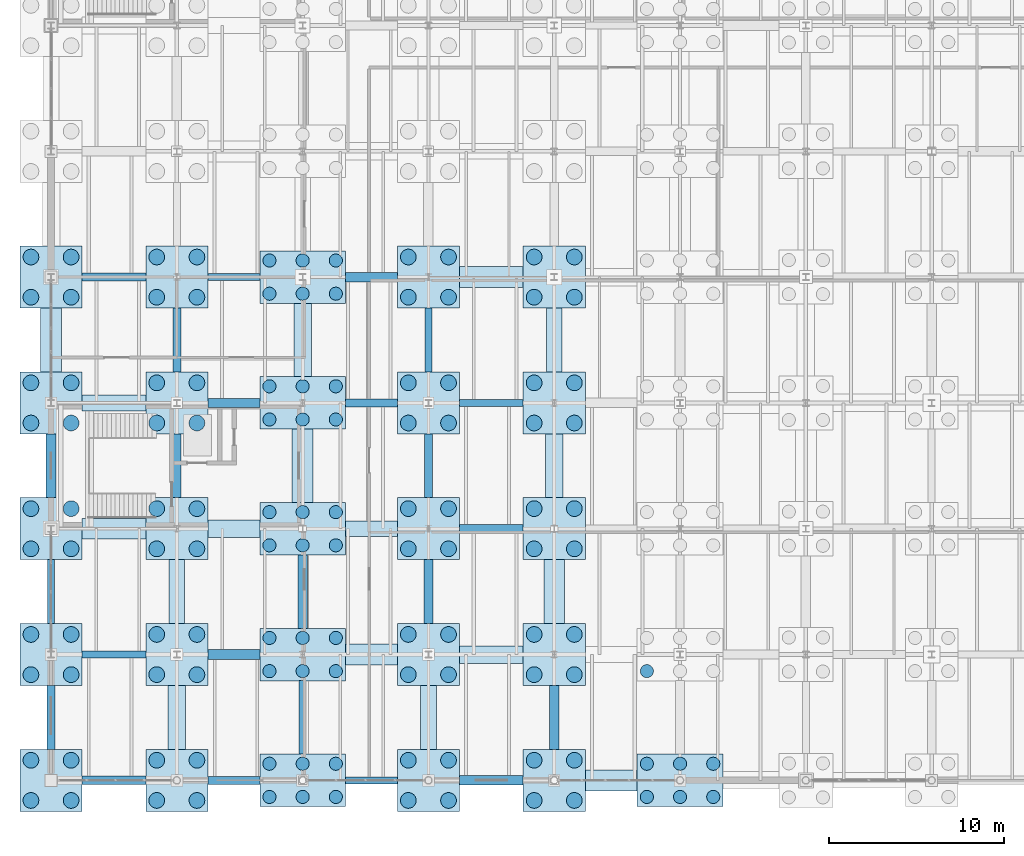
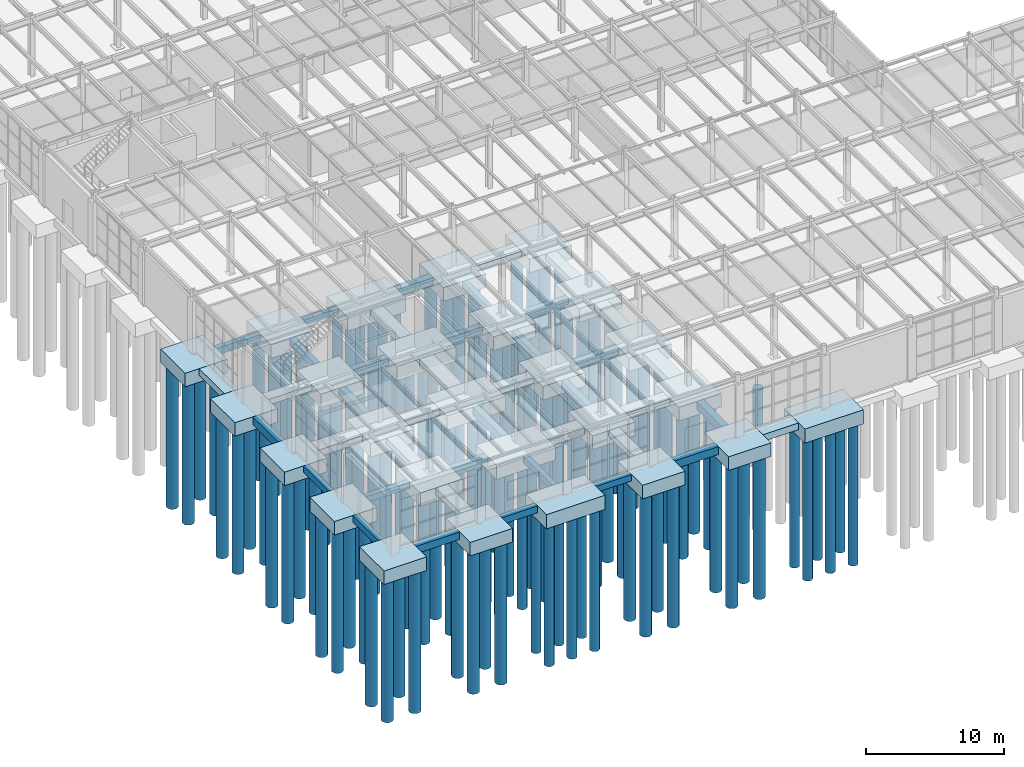
# One storey, part 1 of 293: 117 piles, 67 footings.
"""IFC4 building model written with IfcOpenShell, lengths in metres."""

from ifc_helpers import new_model, si_unit, direction, frame, origin, origin_2d, place, context, subcontext, project, spatial, rectangle, circle, extrude, material, material_profile, profile_set, type_object, element, save


model = new_model("IFC4")

# Units and contexts
model_context = context("Model", 3, precision=1e-05, world=origin(), true_north=direction((0.0, 1.0)))
body_context = subcontext(model_context, "Body", "Model", "MODEL_VIEW")
ifc_project = project(units=[si_unit("LENGTHUNIT", "METRE"), si_unit("AREAUNIT", "SQUARE_METRE"), si_unit("VOLUMEUNIT", "CUBIC_METRE"), si_unit("PLANEANGLEUNIT", "RADIAN"), si_unit("MASSUNIT", "GRAM", prefix="KILO")], contexts=[model_context])

# Site, building, storey
site_placement = place(None, origin())
site = spatial("IfcSite", under=ifc_project, at=site_placement, CompositionType="ELEMENT")
building_placement = place(site_placement, origin())
building = spatial("IfcBuilding", under=site, at=building_placement, Name="Kemerveld Promenade Tramway Depot", CompositionType="ELEMENT")
storey_placement = place(building_placement, origin())
storey = spatial("IfcBuildingStorey", under=building, at=storey_placement, Name="L00", CompositionType="ELEMENT", Elevation=0.0)

# Footings
ifc_material = material(Name="Concrete C35/45", Category="concrete")
footing_type_1 = type_object("IfcFootingType", Name="FT-GB01", PredefinedType="FOOTING_BEAM", material=ifc_material)
for number, where, z_axis, x_axis, name in (
    (1, (3.60009765625, 0.0, -0.949951171875), (0.0, 0.0, 1.0), (1.0, 0.0, 0.0), "GBX-01-02-A"),
    (2, (25.199951171875, 14.39990234375, -0.949951171875), (0.0, 0.0, 1.0), (1.0, 0.0, 0.0), "GBX-04-05-C"),
):
    element("IfcFooting", number, at=place(storey_placement, frame(where, z_axis=z_axis, x_axis=x_axis)), inside=storey, type_object=footing_type_1, Name=name, PredefinedType="FOOTING_BEAM", context=body_context, shape_type="SweptSolid", body=[
        extrude(rectangle(XDim=3.64990234375, YDim=0.5, at=origin_2d()), origin(), (0.0, 0.0, 1.0), 0.64990234375),
    ])
footing_1_placement = place(storey_placement, frame((10.46240234375, 21.60009765625, -0.949951171875), z_axis=(0.0, 0.0, 1.0), x_axis=(1.0, 0.0, 0.0)))
element("IfcFooting", 3, at=footing_1_placement, inside=storey, type_object=footing_type_1, Name="GBX-02-03-D", PredefinedType="FOOTING_BEAM", context=body_context, shape_type="SweptSolid", body=[
    extrude(rectangle(XDim=2.97509765625, YDim=0.5, at=origin_2d()), origin(), (0.0, 0.0, 1.0), 0.64990234375),
])
for number, where, z_axis, x_axis, name in (
    (4, (7.199951171875, 18.0, -0.949951171875), (0.0, 0.0, 1.0), (0.0, 1.0, 0.0), "GBY-02-C-D"),
    (5, (21.60009765625, 10.800048828125, -0.949951171875), (0.0, 0.0, 1.0), (0.0, 1.0, 0.0), "GBY-04-B-C"),
):
    element("IfcFooting", number, at=place(storey_placement, frame(where, z_axis=z_axis, x_axis=x_axis)), inside=storey, type_object=footing_type_1, Name=name, PredefinedType="FOOTING_BEAM", context=body_context, shape_type="SweptSolid", body=[
        extrude(rectangle(XDim=3.64990234375, YDim=0.5, at=origin_2d()), origin(), (0.0, 0.0, 1.0), 0.64990234375),
    ])
footing_type_2 = type_object("IfcFootingType", Name="FT-GB02", PredefinedType="FOOTING_BEAM", material=ifc_material)
for number, where, z_axis, x_axis, name in (
    (6, (10.46240234375, 0.0, -0.900146484375), (0.0, 0.0, 1.0), (1.0, 0.0, 0.0), "GBX-02-03-A"),
    (7, (18.33740234375, 21.60009765625, -0.900146484375), (0.0, 0.0, 1.0), (1.0, 0.0, 0.0), "GBX-03-04-D"),
):
    element("IfcFooting", number, at=place(storey_placement, frame(where, z_axis=z_axis, x_axis=x_axis)), inside=storey, type_object=footing_type_2, Name=name, PredefinedType="FOOTING_BEAM", context=body_context, shape_type="SweptSolid", body=[
        extrude(rectangle(XDim=2.97509765625, YDim=0.449951171875, at=origin_2d()), origin(), (0.0, 0.0, 1.0), 0.60009765625),
    ])
for number, where, z_axis, x_axis, name in (
    (8, (3.60009765625, 28.800048828125, -0.900146484375), (0.0, 0.0, 1.0), (1.0, 0.0, 0.0), "GBX-01-02-E"),
    (9, (0.0, 3.60009765625, -0.900146484375), (0.0, 0.0, 1.0), (0.0, 1.0, 0.0), "GBY-01-A-B"),
    (10, (7.199951171875, 25.199951171875, -0.900146484375), (0.0, 0.0, 1.0), (0.0, 1.0, 0.0), "GBY-02-D-E"),
    (11, (21.60009765625, 18.0, -0.900146484375), (0.0, 0.0, 1.0), (0.0, 1.0, 0.0), "GBY-04-C-D"),
):
    element("IfcFooting", number, at=place(storey_placement, frame(where, z_axis=z_axis, x_axis=x_axis)), inside=storey, type_object=footing_type_2, Name=name, PredefinedType="FOOTING_BEAM", context=body_context, shape_type="SweptSolid", body=[
        extrude(rectangle(XDim=3.64990234375, YDim=0.449951171875, at=origin_2d()), origin(), (0.0, 0.0, 1.0), 0.60009765625),
    ])
footing_type_3 = type_object("IfcFootingType", Name="FT-GB03", PredefinedType="FOOTING_BEAM", material=ifc_material)
footing_2_placement = place(storey_placement, frame((18.33740234375, 0.0, -0.85009765625), z_axis=(0.0, 0.0, 1.0), x_axis=(1.0, 0.0, 0.0)))
element("IfcFooting", 12, at=footing_2_placement, inside=storey, type_object=footing_type_3, Name="GBX-03-04-A", PredefinedType="FOOTING_BEAM", context=body_context, shape_type="SweptSolid", body=[
    extrude(rectangle(XDim=2.97509765625, YDim=0.39990234375, at=origin_2d()), origin(), (0.0, 0.0, 1.0), 0.550048828125),
])
for number, where, z_axis, x_axis, name in (
    (13, (3.60009765625, 7.199951171875, -0.85009765625), (0.0, 0.0, 1.0), (1.0, 0.0, 0.0), "GBX-01-02-B"),
    (14, (25.199951171875, 21.60009765625, -0.85009765625), (0.0, 0.0, 1.0), (1.0, 0.0, 0.0), "GBX-04-05-D"),
):
    element("IfcFooting", number, at=place(storey_placement, frame(where, z_axis=z_axis, x_axis=x_axis)), inside=storey, type_object=footing_type_3, Name=name, PredefinedType="FOOTING_BEAM", context=body_context, shape_type="SweptSolid", body=[
        extrude(rectangle(XDim=3.64990234375, YDim=0.39990234375, at=origin_2d()), origin(), (0.0, 0.0, 1.0), 0.550048828125),
    ])
footing_3_placement = place(storey_placement, frame((10.46240234375, 28.800048828125, -0.85009765625), z_axis=(0.0, 0.0, 1.0), x_axis=(1.0, 0.0, 0.0)))
element("IfcFooting", 15, at=footing_3_placement, inside=storey, type_object=footing_type_3, Name="GBX-02-03-E", PredefinedType="FOOTING_BEAM", context=body_context, shape_type="SweptSolid", body=[
    extrude(rectangle(XDim=2.97509765625, YDim=0.39990234375, at=origin_2d()), origin(), (0.0, 0.0, 1.0), 0.550048828125),
])
footing_4_placement = place(storey_placement, frame((0.0, 10.800048828125, -0.85009765625), z_axis=(0.0, 0.0, 1.0), x_axis=(0.0, 1.0, 0.0)))
element("IfcFooting", 16, at=footing_4_placement, inside=storey, type_object=footing_type_3, Name="GBY-01-B-C", PredefinedType="FOOTING_BEAM", context=body_context, shape_type="SweptSolid", body=[
    extrude(rectangle(XDim=3.64990234375, YDim=0.39990234375, at=origin_2d()), origin(), (0.0, 0.0, 1.0), 0.550048828125),
])
footing_5_placement = place(storey_placement, frame((14.39990234375, 3.60009765625, -0.85009765625), z_axis=(0.0, 0.0, 1.0), x_axis=(0.0, 1.0, 0.0)))
element("IfcFooting", 17, at=footing_5_placement, inside=storey, type_object=footing_type_3, Name="GBY-03-A-B", PredefinedType="FOOTING_BEAM", context=body_context, shape_type="SweptSolid", body=[
    extrude(rectangle(XDim=4.199951171875, YDim=0.39990234375, at=origin_2d()), origin(), (0.0, 0.0, 1.0), 0.550048828125),
])
footing_6_placement = place(storey_placement, frame((21.60009765625, 25.199951171875, -0.85009765625), z_axis=(0.0, 0.0, 1.0), x_axis=(0.0, 1.0, 0.0)))
element("IfcFooting", 18, at=footing_6_placement, inside=storey, type_object=footing_type_3, Name="GBY-04-D-E", PredefinedType="FOOTING_BEAM", context=body_context, shape_type="SweptSolid", body=[
    extrude(rectangle(XDim=3.64990234375, YDim=0.39990234375, at=origin_2d()), origin(), (0.0, 0.0, 1.0), 0.550048828125),
])
footing_type_4 = type_object("IfcFootingType", Name="FT-GB04", PredefinedType="FOOTING_BEAM", material=ifc_material)
footing_7_placement = place(storey_placement, frame((25.199951171875, 0.0, -1.0), z_axis=(0.0, 0.0, 1.0), x_axis=(1.0, 0.0, 0.0)))
element("IfcFooting", 19, at=footing_7_placement, inside=storey, type_object=footing_type_4, Name="GBX-04-05-A", PredefinedType="FOOTING_BEAM", context=body_context, shape_type="SweptSolid", body=[
    extrude(rectangle(XDim=3.64990234375, YDim=0.550048828125, at=origin_2d()), origin(), (0.0, 0.0, 1.0), 0.699951171875),
])
for number, where, z_axis, x_axis, name in (
    (20, (10.46240234375, 7.199951171875, -1.0), (0.0, 0.0, 1.0), (1.0, 0.0, 0.0), "GBX-02-03-B"),
    (21, (18.33740234375, 28.800048828125, -1.0), (0.0, 0.0, 1.0), (1.0, 0.0, 0.0), "GBX-03-04-E"),
):
    element("IfcFooting", number, at=place(storey_placement, frame(where, z_axis=z_axis, x_axis=x_axis)), inside=storey, type_object=footing_type_4, Name=name, PredefinedType="FOOTING_BEAM", context=body_context, shape_type="SweptSolid", body=[
        extrude(rectangle(XDim=2.97509765625, YDim=0.550048828125, at=origin_2d()), origin(), (0.0, 0.0, 1.0), 0.699951171875),
    ])
footing_8_placement = place(storey_placement, frame((0.0, 18.0, -1.0), z_axis=(0.0, 0.0, 1.0), x_axis=(0.0, 1.0, 0.0)))
element("IfcFooting", 22, at=footing_8_placement, inside=storey, type_object=footing_type_4, Name="GBY-01-C-D", PredefinedType="FOOTING_BEAM", context=body_context, shape_type="SweptSolid", body=[
    extrude(rectangle(XDim=3.64990234375, YDim=0.550048828125, at=origin_2d()), origin(), (0.0, 0.0, 1.0), 0.699951171875),
])
footing_9_placement = place(storey_placement, frame((14.39990234375, 10.800048828125, -1.0), z_axis=(0.0, 0.0, 1.0), x_axis=(0.0, 1.0, 0.0)))
element("IfcFooting", 23, at=footing_9_placement, inside=storey, type_object=footing_type_4, Name="GBY-03-B-C", PredefinedType="FOOTING_BEAM", context=body_context, shape_type="SweptSolid", body=[
    extrude(rectangle(XDim=4.199951171875, YDim=0.550048828125, at=origin_2d()), origin(), (0.0, 0.0, 1.0), 0.699951171875),
])
footing_10_placement = place(storey_placement, frame((28.800048828125, 3.60009765625, -1.0), z_axis=(0.0, 0.0, 1.0), x_axis=(0.0, 1.0, 0.0)))
element("IfcFooting", 24, at=footing_10_placement, inside=storey, type_object=footing_type_4, Name="GBY-05-A-B", PredefinedType="FOOTING_BEAM", context=body_context, shape_type="SweptSolid", body=[
    extrude(rectangle(XDim=3.64990234375, YDim=0.550048828125, at=origin_2d()), origin(), (0.0, 0.0, 1.0), 0.699951171875),
])
footing_type_5 = type_object("IfcFootingType", Name="FT-PC03", PredefinedType="PILE_CAP", material=ifc_material)
for number, where, z_axis, x_axis, name in (
    (25, (0.0, 0.0, -1.5), (0.0, 0.0, 1.0), (1.0, 0.0, 0.0), "FT-01-A"),
    (26, (0.0, 7.199951171875, -1.5), (0.0, 0.0, 1.0), (1.0, 0.0, 0.0), "FT-01-B"),
    (27, (0.0, 14.39990234375, -1.5), (0.0, 0.0, 1.0), (1.0, 0.0, 0.0), "FT-01-C"),
    (28, (0.0, 21.60009765625, -1.5), (0.0, 0.0, 1.0), (1.0, 0.0, 0.0), "FT-01-D"),
    (29, (0.0, 28.800048828125, -1.5), (0.0, 0.0, 1.0), (1.0, 0.0, 0.0), "FT-01-E"),
    (30, (7.199951171875, 0.0, -1.5), (0.0, 0.0, 1.0), (1.0, 0.0, 0.0), "FT-02-A"),
    (31, (7.199951171875, 7.199951171875, -1.5), (0.0, 0.0, 1.0), (1.0, 0.0, 0.0), "FT-02-B"),
    (32, (7.199951171875, 14.39990234375, -1.5), (0.0, 0.0, 1.0), (1.0, 0.0, 0.0), "FT-02-C"),
    (33, (7.199951171875, 21.60009765625, -1.5), (0.0, 0.0, 1.0), (1.0, 0.0, 0.0), "FT-02-D"),
    (34, (7.199951171875, 28.800048828125, -1.5), (0.0, 0.0, 1.0), (1.0, 0.0, 0.0), "FT-02-E"),
    (35, (21.60009765625, 0.0, -1.5), (0.0, 0.0, 1.0), (1.0, 0.0, 0.0), "FT-04-A"),
    (36, (21.60009765625, 7.199951171875, -1.5), (0.0, 0.0, 1.0), (1.0, 0.0, 0.0), "FT-04-B"),
    (37, (21.60009765625, 14.39990234375, -1.5), (0.0, 0.0, 1.0), (1.0, 0.0, 0.0), "FT-04-C"),
    (38, (21.60009765625, 21.60009765625, -1.5), (0.0, 0.0, 1.0), (1.0, 0.0, 0.0), "FT-04-D"),
    (39, (21.60009765625, 28.800048828125, -1.5), (0.0, 0.0, 1.0), (1.0, 0.0, 0.0), "FT-04-E"),
    (40, (28.800048828125, 0.0, -1.5), (0.0, 0.0, 1.0), (1.0, 0.0, 0.0), "FT-05-A"),
    (41, (28.800048828125, 7.199951171875, -1.5), (0.0, 0.0, 1.0), (1.0, 0.0, 0.0), "FT-05-B"),
    (42, (28.800048828125, 14.39990234375, -1.5), (0.0, 0.0, 1.0), (1.0, 0.0, 0.0), "FT-05-C"),
    (43, (28.800048828125, 21.60009765625, -1.5), (0.0, 0.0, 1.0), (1.0, 0.0, 0.0), "FT-05-D"),
    (44, (28.800048828125, 28.800048828125, -1.5), (0.0, 0.0, 1.0), (1.0, 0.0, 0.0), "FT-05-E"),
):
    element("IfcFooting", number, at=place(storey_placement, frame(where, z_axis=z_axis, x_axis=x_axis)), inside=storey, type_object=footing_type_5, Name=name, PredefinedType="PILE_CAP", context=body_context, shape_type="SweptSolid", body=[
        extrude(rectangle(XDim=3.550048828125, YDim=3.550048828125, at=origin_2d()), origin(), (0.0, 0.0, 1.0), 1.199951171875),
    ])
footing_type_6 = type_object("IfcFootingType", Name="FT-PC10", PredefinedType="PILE_CAP", material=ifc_material)
for number, where, z_axis, x_axis, name in (
    (45, (14.39990234375, 0.0, -1.550048828125), (0.0, 0.0, 1.0), (1.0, 0.0, 0.0), "FT-03-A"),
    (46, (14.39990234375, 7.199951171875, -1.550048828125), (0.0, 0.0, 1.0), (1.0, 0.0, 0.0), "FT-03-B"),
    (47, (14.39990234375, 14.39990234375, -1.550048828125), (0.0, 0.0, 1.0), (1.0, 0.0, 0.0), "FT-03-C"),
    (48, (14.39990234375, 21.60009765625, -1.550048828125), (0.0, 0.0, 1.0), (1.0, 0.0, 0.0), "FT-03-D"),
    (49, (14.39990234375, 28.800048828125, -1.550048828125), (0.0, 0.0, 1.0), (1.0, 0.0, 0.0), "FT-03-E"),
    (50, (36.0, 0.0, -1.550048828125), (0.0, 0.0, 1.0), (1.0, 0.0, 0.0), "FT-06-A"),
):
    element("IfcFooting", number, at=place(storey_placement, frame(where, z_axis=z_axis, x_axis=x_axis)), inside=storey, type_object=footing_type_6, Name=name, PredefinedType="PILE_CAP", context=body_context, shape_type="SweptSolid", body=[
        extrude(rectangle(XDim=4.89990234375, YDim=3.0, at=origin_2d()), origin(), (0.0, 0.0, 1.0), 1.25),
    ])
footing_type_7 = type_object("IfcFootingType", Name="FT-SF01", PredefinedType="STRIP_FOOTING", material=ifc_material)
for number, where, z_axis, x_axis, name in (
    (51, (32.0625, 0.0, -0.900146484375), (0.0, 0.0, 1.0), (1.0, 0.0, 0.0), "GBX-05-06-A"),
    (52, (18.33740234375, 7.199951171875, -0.900146484375), (0.0, 0.0, 1.0), (1.0, 0.0, 0.0), "GBX-03-04-B"),
):
    element("IfcFooting", number, at=place(storey_placement, frame(where, z_axis=z_axis, x_axis=x_axis)), inside=storey, type_object=footing_type_7, Name=name, PredefinedType="STRIP_FOOTING", context=body_context, shape_type="SweptSolid", body=[
        extrude(rectangle(XDim=2.97509765625, YDim=1.199951171875, at=origin_2d()), origin(), (0.0, 0.0, 1.0), 0.60009765625),
    ])
for number, where, z_axis, x_axis, name in (
    (53, (3.60009765625, 14.39990234375, -0.900146484375), (0.0, 0.0, 1.0), (1.0, 0.0, 0.0), "GBX-01-02-C"),
    (54, (25.199951171875, 28.800048828125, -0.900146484375), (0.0, 0.0, 1.0), (1.0, 0.0, 0.0), "GBX-04-05-E"),
    (55, (0.0, 25.199951171875, -0.900146484375), (0.0, 0.0, 1.0), (0.0, 1.0, 0.0), "GBY-01-D-E"),
):
    element("IfcFooting", number, at=place(storey_placement, frame(where, z_axis=z_axis, x_axis=x_axis)), inside=storey, type_object=footing_type_7, Name=name, PredefinedType="STRIP_FOOTING", context=body_context, shape_type="SweptSolid", body=[
        extrude(rectangle(XDim=3.64990234375, YDim=1.199951171875, at=origin_2d()), origin(), (0.0, 0.0, 1.0), 0.60009765625),
    ])
footing_11_placement = place(storey_placement, frame((14.39990234375, 18.0, -0.900146484375), z_axis=(0.0, 0.0, 1.0), x_axis=(0.0, 1.0, 0.0)))
element("IfcFooting", 56, at=footing_11_placement, inside=storey, type_object=footing_type_7, Name="GBY-03-C-D", PredefinedType="STRIP_FOOTING", context=body_context, shape_type="SweptSolid", body=[
    extrude(rectangle(XDim=4.199951171875, YDim=1.199951171875, at=origin_2d()), origin(), (0.0, 0.0, 1.0), 0.60009765625),
])
footing_12_placement = place(storey_placement, frame((28.800048828125, 10.800048828125, -0.900146484375), z_axis=(0.0, 0.0, 1.0), x_axis=(0.0, 1.0, 0.0)))
element("IfcFooting", 57, at=footing_12_placement, inside=storey, type_object=footing_type_7, Name="GBY-05-B-C", PredefinedType="STRIP_FOOTING", context=body_context, shape_type="SweptSolid", body=[
    extrude(rectangle(XDim=3.64990234375, YDim=1.199951171875, at=origin_2d()), origin(), (0.0, 0.0, 1.0), 0.60009765625),
])
footing_type_8 = type_object("IfcFootingType", Name="FT-SF02", PredefinedType="STRIP_FOOTING", material=ifc_material)
footing_13_placement = place(storey_placement, frame((25.199951171875, 7.199951171875, -0.85009765625), z_axis=(0.0, 0.0, 1.0), x_axis=(1.0, 0.0, 0.0)))
element("IfcFooting", 58, at=footing_13_placement, inside=storey, type_object=footing_type_8, Name="GBX-04-05-B", PredefinedType="STRIP_FOOTING", context=body_context, shape_type="SweptSolid", body=[
    extrude(rectangle(XDim=3.64990234375, YDim=1.0, at=origin_2d()), origin(), (0.0, 0.0, 1.0), 0.550048828125),
])
footing_14_placement = place(storey_placement, frame((10.46240234375, 14.39990234375, -0.85009765625), z_axis=(0.0, 0.0, 1.0), x_axis=(1.0, 0.0, 0.0)))
element("IfcFooting", 59, at=footing_14_placement, inside=storey, type_object=footing_type_8, Name="GBX-02-03-C", PredefinedType="STRIP_FOOTING", context=body_context, shape_type="SweptSolid", body=[
    extrude(rectangle(XDim=2.97509765625, YDim=1.0, at=origin_2d()), origin(), (0.0, 0.0, 1.0), 0.550048828125),
])
footing_15_placement = place(storey_placement, frame((7.199951171875, 3.60009765625, -0.85009765625), z_axis=(0.0, 0.0, 1.0), x_axis=(0.0, 1.0, 0.0)))
element("IfcFooting", 60, at=footing_15_placement, inside=storey, type_object=footing_type_8, Name="GBY-02-A-B", PredefinedType="STRIP_FOOTING", context=body_context, shape_type="SweptSolid", body=[
    extrude(rectangle(XDim=3.64990234375, YDim=1.0, at=origin_2d()), origin(), (0.0, 0.0, 1.0), 0.550048828125),
])
footing_16_placement = place(storey_placement, frame((14.39990234375, 25.199951171875, -0.85009765625), z_axis=(0.0, 0.0, 1.0), x_axis=(0.0, 1.0, 0.0)))
element("IfcFooting", 61, at=footing_16_placement, inside=storey, type_object=footing_type_8, Name="GBY-03-D-E", PredefinedType="STRIP_FOOTING", context=body_context, shape_type="SweptSolid", body=[
    extrude(rectangle(XDim=4.199951171875, YDim=1.0, at=origin_2d()), origin(), (0.0, 0.0, 1.0), 0.550048828125),
])
footing_17_placement = place(storey_placement, frame((28.800048828125, 18.0, -0.85009765625), z_axis=(0.0, 0.0, 1.0), x_axis=(0.0, 1.0, 0.0)))
element("IfcFooting", 62, at=footing_17_placement, inside=storey, type_object=footing_type_8, Name="GBY-05-C-D", PredefinedType="STRIP_FOOTING", context=body_context, shape_type="SweptSolid", body=[
    extrude(rectangle(XDim=3.64990234375, YDim=1.0, at=origin_2d()), origin(), (0.0, 0.0, 1.0), 0.550048828125),
])
footing_type_9 = type_object("IfcFootingType", Name="FT-SF03", PredefinedType="STRIP_FOOTING", material=ifc_material)
footing_18_placement = place(storey_placement, frame((18.33740234375, 14.39990234375, -0.800048828125), z_axis=(0.0, 0.0, 1.0), x_axis=(1.0, 0.0, 0.0)))
element("IfcFooting", 63, at=footing_18_placement, inside=storey, type_object=footing_type_9, Name="GBX-03-04-C", PredefinedType="STRIP_FOOTING", context=body_context, shape_type="SweptSolid", body=[
    extrude(rectangle(XDim=2.97509765625, YDim=0.89990234375, at=origin_2d()), origin(), (0.0, 0.0, 1.0), 0.5),
])
for number, where, z_axis, x_axis, name in (
    (64, (3.60009765625, 21.60009765625, -0.800048828125), (0.0, 0.0, 1.0), (1.0, 0.0, 0.0), "GBX-01-02-D"),
    (65, (7.199951171875, 10.800048828125, -0.800048828125), (0.0, 0.0, 1.0), (0.0, 1.0, 0.0), "GBY-02-B-C"),
    (66, (21.60009765625, 3.60009765625, -0.800048828125), (0.0, 0.0, 1.0), (0.0, 1.0, 0.0), "GBY-04-A-B"),
    (67, (28.800048828125, 25.199951171875, -0.800048828125), (0.0, 0.0, 1.0), (0.0, 1.0, 0.0), "GBY-05-D-E"),
):
    element("IfcFooting", number, at=place(storey_placement, frame(where, z_axis=z_axis, x_axis=x_axis)), inside=storey, type_object=footing_type_9, Name=name, PredefinedType="STRIP_FOOTING", context=body_context, shape_type="SweptSolid", body=[
        extrude(rectangle(XDim=3.64990234375, YDim=0.89990234375, at=origin_2d()), origin(), (0.0, 0.0, 1.0), 0.5),
    ])

# Piles
ifc_material_profile_1 = material_profile(ifc_material, circle(Radius=0.375, at=origin_2d()), Name="PILE-D750")
ifc_profile_set_1 = profile_set([ifc_material_profile_1], Name="Concrete C35/45")
pile_type_1 = type_object("IfcPileType", Name="PL-BOR-750", PredefinedType="BORED", material=ifc_profile_set_1)
for number, where, z_axis, x_axis, name in (
    (68, (12.5, -0.949951171875, -1.449951171875), (0.0, 0.0, -1.0), (1.0, 0.0, 0.0), "PIL-03-A-1"),
    (69, (14.39990234375, -0.949951171875, -1.449951171875), (0.0, 0.0, -1.0), (1.0, 0.0, 0.0), "PIL-03-A-2"),
    (70, (16.300048828125, -0.949951171875, -1.449951171875), (0.0, 0.0, -1.0), (1.0, 0.0, 0.0), "PIL-03-A-3"),
    (71, (12.5, 0.949951171875, -1.449951171875), (0.0, 0.0, -1.0), (1.0, 0.0, 0.0), "PIL-03-A-4"),
    (72, (14.39990234375, 0.949951171875, -1.449951171875), (0.0, 0.0, -1.0), (1.0, 0.0, 0.0), "PIL-03-A-5"),
    (73, (16.300048828125, 0.949951171875, -1.449951171875), (0.0, 0.0, -1.0), (1.0, 0.0, 0.0), "PIL-03-A-6"),
    (74, (12.5, 6.25, -1.449951171875), (0.0, 0.0, -1.0), (1.0, 0.0, 0.0), "PIL-03-B-1"),
    (75, (14.39990234375, 6.25, -1.449951171875), (0.0, 0.0, -1.0), (1.0, 0.0, 0.0), "PIL-03-B-2"),
    (76, (16.300048828125, 6.25, -1.449951171875), (0.0, 0.0, -1.0), (1.0, 0.0, 0.0), "PIL-03-B-3"),
    (77, (12.5, 8.14990234375, -1.449951171875), (0.0, 0.0, -1.0), (1.0, 0.0, 0.0), "PIL-03-B-4"),
    (78, (14.39990234375, 8.14990234375, -1.449951171875), (0.0, 0.0, -1.0), (1.0, 0.0, 0.0), "PIL-03-B-5"),
    (79, (16.300048828125, 8.14990234375, -1.449951171875), (0.0, 0.0, -1.0), (1.0, 0.0, 0.0), "PIL-03-B-6"),
    (80, (12.5, 13.449951171875, -1.449951171875), (0.0, 0.0, -1.0), (1.0, 0.0, 0.0), "PIL-03-C-1"),
    (81, (14.39990234375, 13.449951171875, -1.449951171875), (0.0, 0.0, -1.0), (1.0, 0.0, 0.0), "PIL-03-C-2"),
    (82, (16.300048828125, 13.449951171875, -1.449951171875), (0.0, 0.0, -1.0), (1.0, 0.0, 0.0), "PIL-03-C-3"),
    (83, (12.5, 15.35009765625, -1.449951171875), (0.0, 0.0, -1.0), (1.0, 0.0, 0.0), "PIL-03-C-4"),
    (84, (14.39990234375, 15.35009765625, -1.449951171875), (0.0, 0.0, -1.0), (1.0, 0.0, 0.0), "PIL-03-C-5"),
    (85, (16.300048828125, 15.35009765625, -1.449951171875), (0.0, 0.0, -1.0), (1.0, 0.0, 0.0), "PIL-03-C-6"),
    (86, (12.5, 20.64990234375, -1.449951171875), (0.0, 0.0, -1.0), (1.0, 0.0, 0.0), "PIL-03-D-1"),
    (87, (14.39990234375, 20.64990234375, -1.449951171875), (0.0, 0.0, -1.0), (1.0, 0.0, 0.0), "PIL-03-D-2"),
    (88, (16.300048828125, 20.64990234375, -1.449951171875), (0.0, 0.0, -1.0), (1.0, 0.0, 0.0), "PIL-03-D-3"),
    (89, (12.5, 22.550048828125, -1.449951171875), (0.0, 0.0, -1.0), (1.0, 0.0, 0.0), "PIL-03-D-4"),
    (90, (14.39990234375, 22.550048828125, -1.449951171875), (0.0, 0.0, -1.0), (1.0, 0.0, 0.0), "PIL-03-D-5"),
    (91, (16.300048828125, 22.550048828125, -1.449951171875), (0.0, 0.0, -1.0), (1.0, 0.0, 0.0), "PIL-03-D-6"),
    (92, (12.5, 27.85009765625, -1.449951171875), (0.0, 0.0, -1.0), (1.0, 0.0, 0.0), "PIL-03-E-1"),
    (93, (14.39990234375, 27.85009765625, -1.449951171875), (0.0, 0.0, -1.0), (1.0, 0.0, 0.0), "PIL-03-E-2"),
    (94, (16.300048828125, 27.85009765625, -1.449951171875), (0.0, 0.0, -1.0), (1.0, 0.0, 0.0), "PIL-03-E-3"),
    (95, (12.5, 29.75, -1.449951171875), (0.0, 0.0, -1.0), (1.0, 0.0, 0.0), "PIL-03-E-4"),
    (96, (14.39990234375, 29.75, -1.449951171875), (0.0, 0.0, -1.0), (1.0, 0.0, 0.0), "PIL-03-E-5"),
    (97, (16.300048828125, 29.75, -1.449951171875), (0.0, 0.0, -1.0), (1.0, 0.0, 0.0), "PIL-03-E-6"),
    (98, (34.10009765625, -0.949951171875, -1.449951171875), (0.0, 0.0, -1.0), (1.0, 0.0, 0.0), "PIL-06-A-1"),
    (99, (36.0, -0.949951171875, -1.449951171875), (0.0, 0.0, -1.0), (1.0, 0.0, 0.0), "PIL-06-A-2"),
    (100, (37.89990234375, -0.949951171875, -1.449951171875), (0.0, 0.0, -1.0), (1.0, 0.0, 0.0), "PIL-06-A-3"),
    (101, (34.10009765625, 0.949951171875, -1.449951171875), (0.0, 0.0, -1.0), (1.0, 0.0, 0.0), "PIL-06-A-4"),
    (102, (36.0, 0.949951171875, -1.449951171875), (0.0, 0.0, -1.0), (1.0, 0.0, 0.0), "PIL-06-A-5"),
    (103, (37.89990234375, 0.949951171875, -1.449951171875), (0.0, 0.0, -1.0), (1.0, 0.0, 0.0), "PIL-06-A-6"),
    (104, (34.10009765625, 6.25, -1.449951171875), (0.0, 0.0, -1.0), (1.0, 0.0, 0.0), "PIL-06-B-1"),
):
    element("IfcPile", number, at=place(storey_placement, frame(where, z_axis=z_axis, x_axis=x_axis)), inside=storey, type_object=pile_type_1, Name=name, PredefinedType="BORED", context=body_context, shape_type="SweptSolid", body=[
        extrude(circle(Radius=0.375, at=origin_2d()), origin(), (0.0, 0.0, 1.0), 12.550048828125),
    ])
ifc_material_profile_2 = material_profile(ifc_material, circle(Radius=0.449951171875, at=origin_2d()), Name="PILE-D900")
ifc_profile_set_2 = profile_set([ifc_material_profile_2], Name="Concrete C35/45")
pile_type_2 = type_object("IfcPileType", Name="PL-BOR-900", PredefinedType="BORED", material=ifc_profile_set_2)
for number, where, z_axis, x_axis, name in (
    (105, (-1.14990234375, -1.14990234375, -1.39990234375), (0.0, 0.0, -1.0), (1.0, 0.0, 0.0), "PIL-01-A-1"),
    (106, (1.14990234375, -1.14990234375, -1.39990234375), (0.0, 0.0, -1.0), (1.0, 0.0, 0.0), "PIL-01-A-2"),
    (107, (-1.14990234375, 1.14990234375, -1.39990234375), (0.0, 0.0, -1.0), (1.0, 0.0, 0.0), "PIL-01-A-3"),
    (108, (1.14990234375, 1.14990234375, -1.39990234375), (0.0, 0.0, -1.0), (1.0, 0.0, 0.0), "PIL-01-A-4"),
    (109, (-1.14990234375, 6.050048828125, -1.39990234375), (0.0, 0.0, -1.0), (1.0, 0.0, 0.0), "PIL-01-B-1"),
    (110, (1.14990234375, 6.050048828125, -1.39990234375), (0.0, 0.0, -1.0), (1.0, 0.0, 0.0), "PIL-01-B-2"),
    (111, (-1.14990234375, 8.35009765625, -1.39990234375), (0.0, 0.0, -1.0), (1.0, 0.0, 0.0), "PIL-01-B-3"),
    (112, (1.14990234375, 8.35009765625, -1.39990234375), (0.0, 0.0, -1.0), (1.0, 0.0, 0.0), "PIL-01-B-4"),
    (113, (-1.14990234375, 13.25, -1.39990234375), (0.0, 0.0, -1.0), (1.0, 0.0, 0.0), "PIL-01-C-1"),
    (114, (1.14990234375, 13.25, -1.39990234375), (0.0, 0.0, -1.0), (1.0, 0.0, 0.0), "PIL-01-C-2"),
    (115, (-1.14990234375, 15.550048828125, -1.39990234375), (0.0, 0.0, -1.0), (1.0, 0.0, 0.0), "PIL-01-C-3"),
    (116, (1.14990234375, 15.550048828125, -1.39990234375), (0.0, 0.0, -1.0), (1.0, 0.0, 0.0), "PIL-01-C-4"),
    (117, (-1.14990234375, 20.449951171875, -1.39990234375), (0.0, 0.0, -1.0), (1.0, 0.0, 0.0), "PIL-01-D-1"),
    (118, (1.14990234375, 20.449951171875, -1.39990234375), (0.0, 0.0, -1.0), (1.0, 0.0, 0.0), "PIL-01-D-2"),
    (119, (-1.14990234375, 22.75, -1.39990234375), (0.0, 0.0, -1.0), (1.0, 0.0, 0.0), "PIL-01-D-3"),
    (120, (1.14990234375, 22.75, -1.39990234375), (0.0, 0.0, -1.0), (1.0, 0.0, 0.0), "PIL-01-D-4"),
    (121, (-1.14990234375, 27.64990234375, -1.39990234375), (0.0, 0.0, -1.0), (1.0, 0.0, 0.0), "PIL-01-E-1"),
    (122, (1.14990234375, 27.64990234375, -1.39990234375), (0.0, 0.0, -1.0), (1.0, 0.0, 0.0), "PIL-01-E-2"),
    (123, (-1.14990234375, 29.949951171875, -1.39990234375), (0.0, 0.0, -1.0), (1.0, 0.0, 0.0), "PIL-01-E-3"),
    (124, (1.14990234375, 29.949951171875, -1.39990234375), (0.0, 0.0, -1.0), (1.0, 0.0, 0.0), "PIL-01-E-4"),
    (125, (6.050048828125, -1.14990234375, -1.39990234375), (0.0, 0.0, -1.0), (1.0, 0.0, 0.0), "PIL-02-A-1"),
    (126, (8.35009765625, -1.14990234375, -1.39990234375), (0.0, 0.0, -1.0), (1.0, 0.0, 0.0), "PIL-02-A-2"),
    (127, (6.050048828125, 1.14990234375, -1.39990234375), (0.0, 0.0, -1.0), (1.0, 0.0, 0.0), "PIL-02-A-3"),
    (128, (8.35009765625, 1.14990234375, -1.39990234375), (0.0, 0.0, -1.0), (1.0, 0.0, 0.0), "PIL-02-A-4"),
    (129, (6.050048828125, 6.050048828125, -1.39990234375), (0.0, 0.0, -1.0), (1.0, 0.0, 0.0), "PIL-02-B-1"),
    (130, (8.35009765625, 6.050048828125, -1.39990234375), (0.0, 0.0, -1.0), (1.0, 0.0, 0.0), "PIL-02-B-2"),
    (131, (6.050048828125, 8.35009765625, -1.39990234375), (0.0, 0.0, -1.0), (1.0, 0.0, 0.0), "PIL-02-B-3"),
    (132, (8.35009765625, 8.35009765625, -1.39990234375), (0.0, 0.0, -1.0), (1.0, 0.0, 0.0), "PIL-02-B-4"),
    (133, (6.050048828125, 13.25, -1.39990234375), (0.0, 0.0, -1.0), (1.0, 0.0, 0.0), "PIL-02-C-1"),
    (134, (8.35009765625, 13.25, -1.39990234375), (0.0, 0.0, -1.0), (1.0, 0.0, 0.0), "PIL-02-C-2"),
    (135, (6.050048828125, 15.550048828125, -1.39990234375), (0.0, 0.0, -1.0), (1.0, 0.0, 0.0), "PIL-02-C-3"),
    (136, (8.35009765625, 15.550048828125, -1.39990234375), (0.0, 0.0, -1.0), (1.0, 0.0, 0.0), "PIL-02-C-4"),
    (137, (6.050048828125, 20.449951171875, -1.39990234375), (0.0, 0.0, -1.0), (1.0, 0.0, 0.0), "PIL-02-D-1"),
    (138, (8.35009765625, 20.449951171875, -1.39990234375), (0.0, 0.0, -1.0), (1.0, 0.0, 0.0), "PIL-02-D-2"),
    (139, (6.050048828125, 22.75, -1.39990234375), (0.0, 0.0, -1.0), (1.0, 0.0, 0.0), "PIL-02-D-3"),
    (140, (8.35009765625, 22.75, -1.39990234375), (0.0, 0.0, -1.0), (1.0, 0.0, 0.0), "PIL-02-D-4"),
    (141, (6.050048828125, 27.64990234375, -1.39990234375), (0.0, 0.0, -1.0), (1.0, 0.0, 0.0), "PIL-02-E-1"),
    (142, (8.35009765625, 27.64990234375, -1.39990234375), (0.0, 0.0, -1.0), (1.0, 0.0, 0.0), "PIL-02-E-2"),
    (143, (6.050048828125, 29.949951171875, -1.39990234375), (0.0, 0.0, -1.0), (1.0, 0.0, 0.0), "PIL-02-E-3"),
    (144, (8.35009765625, 29.949951171875, -1.39990234375), (0.0, 0.0, -1.0), (1.0, 0.0, 0.0), "PIL-02-E-4"),
    (145, (20.449951171875, -1.14990234375, -1.39990234375), (0.0, 0.0, -1.0), (1.0, 0.0, 0.0), "PIL-04-A-1"),
    (146, (22.75, -1.14990234375, -1.39990234375), (0.0, 0.0, -1.0), (1.0, 0.0, 0.0), "PIL-04-A-2"),
    (147, (20.449951171875, 1.14990234375, -1.39990234375), (0.0, 0.0, -1.0), (1.0, 0.0, 0.0), "PIL-04-A-3"),
    (148, (22.75, 1.14990234375, -1.39990234375), (0.0, 0.0, -1.0), (1.0, 0.0, 0.0), "PIL-04-A-4"),
    (149, (20.449951171875, 6.050048828125, -1.39990234375), (0.0, 0.0, -1.0), (1.0, 0.0, 0.0), "PIL-04-B-1"),
    (150, (22.75, 6.050048828125, -1.39990234375), (0.0, 0.0, -1.0), (1.0, 0.0, 0.0), "PIL-04-B-2"),
    (151, (20.449951171875, 8.35009765625, -1.39990234375), (0.0, 0.0, -1.0), (1.0, 0.0, 0.0), "PIL-04-B-3"),
    (152, (22.75, 8.35009765625, -1.39990234375), (0.0, 0.0, -1.0), (1.0, 0.0, 0.0), "PIL-04-B-4"),
    (153, (20.449951171875, 13.25, -1.39990234375), (0.0, 0.0, -1.0), (1.0, 0.0, 0.0), "PIL-04-C-1"),
    (154, (22.75, 13.25, -1.39990234375), (0.0, 0.0, -1.0), (1.0, 0.0, 0.0), "PIL-04-C-2"),
    (155, (20.449951171875, 15.550048828125, -1.39990234375), (0.0, 0.0, -1.0), (1.0, 0.0, 0.0), "PIL-04-C-3"),
    (156, (22.75, 15.550048828125, -1.39990234375), (0.0, 0.0, -1.0), (1.0, 0.0, 0.0), "PIL-04-C-4"),
    (157, (20.449951171875, 20.449951171875, -1.39990234375), (0.0, 0.0, -1.0), (1.0, 0.0, 0.0), "PIL-04-D-1"),
    (158, (22.75, 20.449951171875, -1.39990234375), (0.0, 0.0, -1.0), (1.0, 0.0, 0.0), "PIL-04-D-2"),
    (159, (20.449951171875, 22.75, -1.39990234375), (0.0, 0.0, -1.0), (1.0, 0.0, 0.0), "PIL-04-D-3"),
    (160, (22.75, 22.75, -1.39990234375), (0.0, 0.0, -1.0), (1.0, 0.0, 0.0), "PIL-04-D-4"),
    (161, (20.449951171875, 27.64990234375, -1.39990234375), (0.0, 0.0, -1.0), (1.0, 0.0, 0.0), "PIL-04-E-1"),
    (162, (22.75, 27.64990234375, -1.39990234375), (0.0, 0.0, -1.0), (1.0, 0.0, 0.0), "PIL-04-E-2"),
    (163, (20.449951171875, 29.949951171875, -1.39990234375), (0.0, 0.0, -1.0), (1.0, 0.0, 0.0), "PIL-04-E-3"),
    (164, (22.75, 29.949951171875, -1.39990234375), (0.0, 0.0, -1.0), (1.0, 0.0, 0.0), "PIL-04-E-4"),
    (165, (27.64990234375, -1.14990234375, -1.39990234375), (0.0, 0.0, -1.0), (1.0, 0.0, 0.0), "PIL-05-A-1"),
    (166, (29.949951171875, -1.14990234375, -1.39990234375), (0.0, 0.0, -1.0), (1.0, 0.0, 0.0), "PIL-05-A-2"),
    (167, (27.64990234375, 1.14990234375, -1.39990234375), (0.0, 0.0, -1.0), (1.0, 0.0, 0.0), "PIL-05-A-3"),
    (168, (29.949951171875, 1.14990234375, -1.39990234375), (0.0, 0.0, -1.0), (1.0, 0.0, 0.0), "PIL-05-A-4"),
    (169, (27.64990234375, 6.050048828125, -1.39990234375), (0.0, 0.0, -1.0), (1.0, 0.0, 0.0), "PIL-05-B-1"),
    (170, (29.949951171875, 6.050048828125, -1.39990234375), (0.0, 0.0, -1.0), (1.0, 0.0, 0.0), "PIL-05-B-2"),
    (171, (27.64990234375, 8.35009765625, -1.39990234375), (0.0, 0.0, -1.0), (1.0, 0.0, 0.0), "PIL-05-B-3"),
    (172, (29.949951171875, 8.35009765625, -1.39990234375), (0.0, 0.0, -1.0), (1.0, 0.0, 0.0), "PIL-05-B-4"),
    (173, (27.64990234375, 13.25, -1.39990234375), (0.0, 0.0, -1.0), (1.0, 0.0, 0.0), "PIL-05-C-1"),
    (174, (29.949951171875, 13.25, -1.39990234375), (0.0, 0.0, -1.0), (1.0, 0.0, 0.0), "PIL-05-C-2"),
    (175, (27.64990234375, 15.550048828125, -1.39990234375), (0.0, 0.0, -1.0), (1.0, 0.0, 0.0), "PIL-05-C-3"),
    (176, (29.949951171875, 15.550048828125, -1.39990234375), (0.0, 0.0, -1.0), (1.0, 0.0, 0.0), "PIL-05-C-4"),
    (177, (27.64990234375, 20.449951171875, -1.39990234375), (0.0, 0.0, -1.0), (1.0, 0.0, 0.0), "PIL-05-D-1"),
    (178, (29.949951171875, 20.449951171875, -1.39990234375), (0.0, 0.0, -1.0), (1.0, 0.0, 0.0), "PIL-05-D-2"),
    (179, (27.64990234375, 22.75, -1.39990234375), (0.0, 0.0, -1.0), (1.0, 0.0, 0.0), "PIL-05-D-3"),
    (180, (29.949951171875, 22.75, -1.39990234375), (0.0, 0.0, -1.0), (1.0, 0.0, 0.0), "PIL-05-D-4"),
    (181, (27.64990234375, 27.64990234375, -1.39990234375), (0.0, 0.0, -1.0), (1.0, 0.0, 0.0), "PIL-05-E-1"),
    (182, (29.949951171875, 27.64990234375, -1.39990234375), (0.0, 0.0, -1.0), (1.0, 0.0, 0.0), "PIL-05-E-2"),
    (183, (27.64990234375, 29.949951171875, -1.39990234375), (0.0, 0.0, -1.0), (1.0, 0.0, 0.0), "PIL-05-E-3"),
    (184, (29.949951171875, 29.949951171875, -1.39990234375), (0.0, 0.0, -1.0), (1.0, 0.0, 0.0), "PIL-05-E-4"),
):
    element("IfcPile", number, at=place(storey_placement, frame(where, z_axis=z_axis, x_axis=x_axis)), inside=storey, type_object=pile_type_2, Name=name, PredefinedType="BORED", context=body_context, shape_type="SweptSolid", body=[
        extrude(circle(Radius=0.449951171875, at=origin_2d()), origin(), (0.0, 0.0, 1.0), 12.60009765625),
    ])

save(model, "model.ifc")
